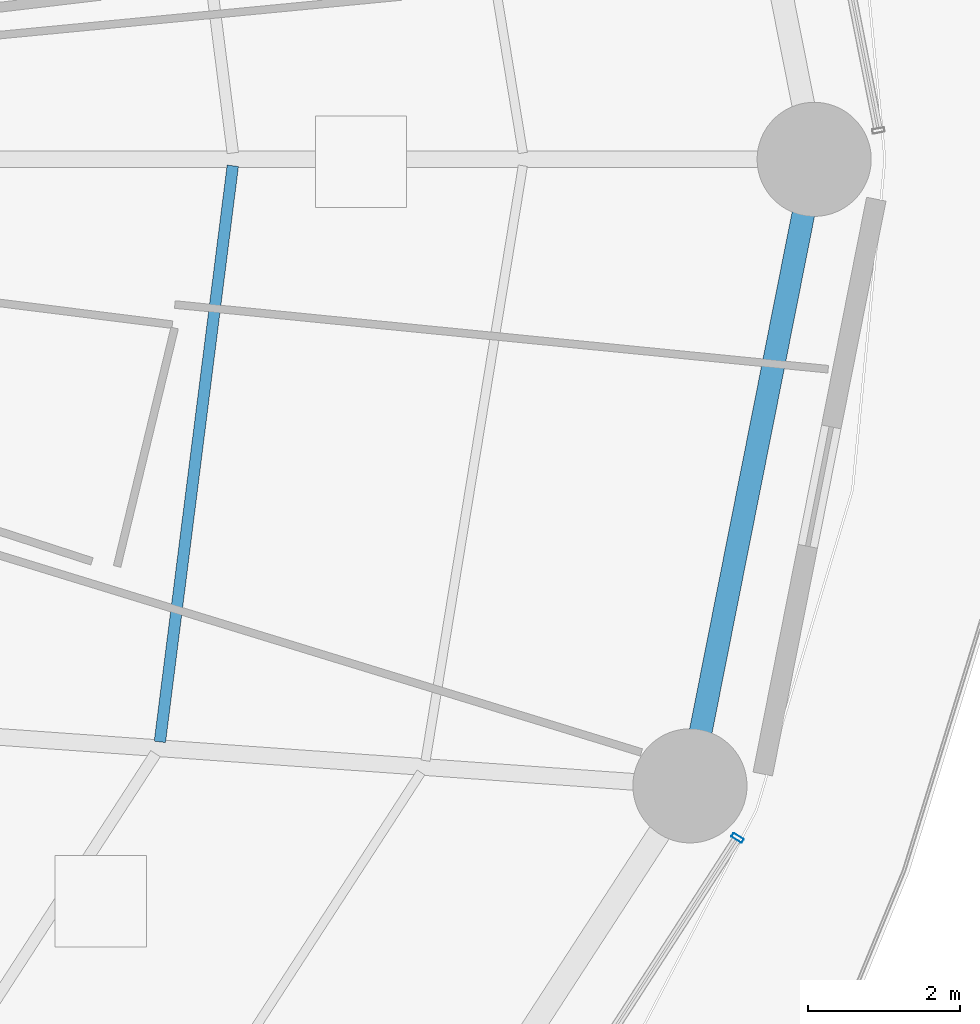
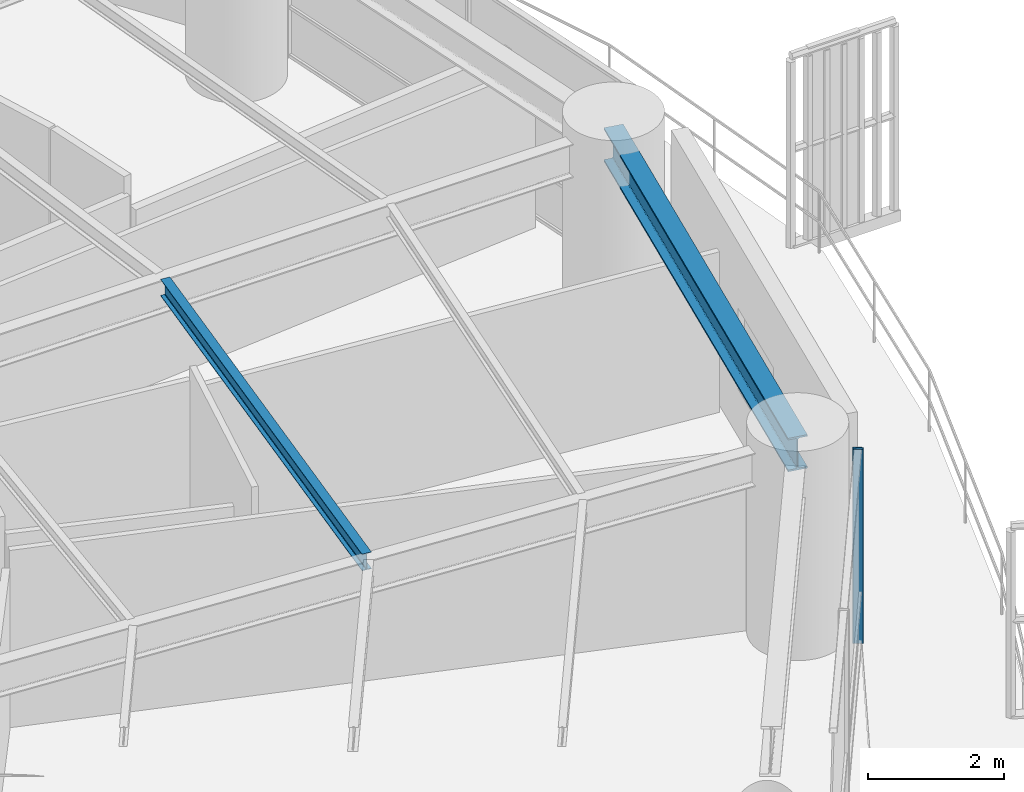
# One storey, part 12 of 32: 2 beams, 1 member, 1 element without a shape of its own.
"""IFC4 building model written with IfcOpenShell, lengths in metres."""

from ifc_helpers import new_model, si_unit, direction, frame, origin, origin_2d, place, context, subcontext, project, spatial, hollow_rectangle, i_section, extrude, material, layer, layer_set, material_profile, profile_set, type_object, element, aggregate, save


model = new_model("IFC4")

# Units and contexts
model_context = context("Model", 3, precision=1e-05, world=origin(), true_north=direction((0.0, 1.0)))
body_context = subcontext(model_context, "Body", "Model", "MODEL_VIEW")
ifc_project = project(units=[si_unit("LENGTHUNIT", "METRE"), si_unit("AREAUNIT", "SQUARE_METRE"), si_unit("VOLUMEUNIT", "CUBIC_METRE"), si_unit("PLANEANGLEUNIT", "RADIAN"), si_unit("MASSUNIT", "GRAM", prefix="KILO")], contexts=[model_context])

# Site, building, storey
site_placement = place(None, origin())
site = spatial("IfcSite", under=ifc_project, at=site_placement, CompositionType="ELEMENT")
building_placement = place(site_placement, origin())
building = spatial("IfcBuilding", under=site, at=building_placement, Name="Kelanora Arch Commons", CompositionType="ELEMENT")
storey_placement = place(building_placement, frame((0.0, 0.0, 48.75)))
storey = spatial("IfcBuildingStorey", under=building, at=storey_placement, Name="L12", CompositionType="ELEMENT", Elevation=48.75)

# Beams
ifc_material_1 = material(Name="Steel S355", Category="steel")
ifc_material_profile_1 = material_profile(ifc_material_1, i_section(OverallWidth=0.14990234375, OverallDepth=0.300048828125, WebThickness=0.007080078125, FlangeThickness=0.0107421875, FilletRadius=0.014892578125, at=origin_2d()), Name="IPE300")
ifc_profile_set_1 = profile_set([ifc_material_profile_1], Name="Steel S355")
beam_type_1 = type_object("IfcBeamType", Name="BM-JST-01", PredefinedType="JOIST", material=ifc_profile_set_1)
beam_1_placement = place(storey_placement, frame((92.478759765625, 50.3427734375, 3.340087890625), z_axis=(0.125565841651, 0.992085288375, 0.0), x_axis=(-0.992085288375, 0.125565841651, 0.0)))
element("IfcBeam", 1, at=beam_1_placement, inside=storey, type_object=beam_type_1, Name="Secondary Chord Joist BJB-34 L12", PredefinedType="JOIST", context=body_context, shape_type="SweptSolid", body=[
    extrude(i_section(OverallWidth=0.14990234375, OverallDepth=0.300048828125, WebThickness=0.007080078125, FlangeThickness=0.0107421875, FilletRadius=0.014892578125, at=origin_2d()), origin(), (0.0, 0.0, 1.0), 7.63330078125),
])
ifc_material_profile_2 = material_profile(ifc_material_1, i_section(OverallWidth=0.300048828125, OverallDepth=0.60009765625, WebThickness=0.015380859375, FlangeThickness=0.030029296875, FilletRadius=0.027099609375, at=origin_2d()), Name="HEB600")
ifc_profile_set_2 = profile_set([ifc_material_profile_2], Name="Steel S355")
beam_type_2 = type_object("IfcBeamType", Name="BM-SPN-Z1", PredefinedType="SPANDREL", material=ifc_profile_set_2)
beam_2_placement = place(storey_placement, frame((99.447021484375, 49.76416015625, 3.18994140625), z_axis=(0.194499827256, 0.980902552345, 0.0), x_axis=(-0.980902552345, 0.194499827256, 0.0)))
element("IfcBeam", 2, at=beam_2_placement, inside=storey, type_object=beam_type_2, Name="Perimeter Spandrel Beam BS-34 L12", PredefinedType="SPANDREL", context=body_context, shape_type="SweptSolid", body=[
    extrude(i_section(OverallWidth=0.300048828125, OverallDepth=0.60009765625, WebThickness=0.015380859375, FlangeThickness=0.030029296875, FilletRadius=0.027099609375, at=origin_2d()), origin(), (0.0, 0.0, 1.0), 8.396240234375),
])

# Curtain wall, member
ifc_material_2 = material(Name="Terracotta ceramic-fritted low-E glass and aluminium", Category="masonry")
ifc_layer = layer(ifc_material_2, 0.159912109375)
ifc_layer_set = layer_set([ifc_layer], Name="Terracotta ceramic-fritted low-E glass and aluminium")
curtain_wall_type = type_object("IfcCurtainWallType", Name="CW-SYS-01", PredefinedType="NOTDEFINED", material=ifc_layer_set)
curtain_wall_placement = place(storey_placement, origin())
curtain_wall = element("IfcCurtainWall", 3, at=curtain_wall_placement, inside=storey, type_object=curtain_wall_type, Name="Unitised Curtain Wall L12-B16", PredefinedType="NOTDEFINED")
ifc_material_3 = material(Name="Powder-coated aluminium terracotta", Category="masonry")
ifc_material_profile_3 = material_profile(ifc_material_3, hollow_rectangle(XDim=0.159912109375, YDim=0.06005859375, WallThickness=0.0048828125, InnerFilletRadius=0.0048828125, OuterFilletRadius=0.010009765625, at=origin_2d()), Name="CWM160x60")
ifc_profile_set_3 = profile_set([ifc_material_profile_3], Name="Powder-coated aluminium terracotta")
member_type = type_object("IfcMemberType", Name="CWM-STD", PredefinedType="MULLION", material=ifc_profile_set_3)
member_placement = place(storey_placement, frame((100.072265625, 49.07958984375, 0.0), z_axis=(0.0, 0.0, 1.0), x_axis=(-0.83972982332, 0.543004441812, 0.0)))
member = element("IfcMember", 4, at=member_placement, type_object=member_type, Name="CW-01 mullion 3", PredefinedType="MULLION", context=body_context, shape_type="SweptSolid", body=[
    extrude(hollow_rectangle(XDim=0.159912109375, YDim=0.06005859375, WallThickness=0.0048828125, InnerFilletRadius=0.0048828125, OuterFilletRadius=0.010009765625, at=origin_2d()), origin(), (0.0, 0.0, 1.0), 3.47509765625),
])
aggregate(curtain_wall, [member])

save(model, "model.ifc")
